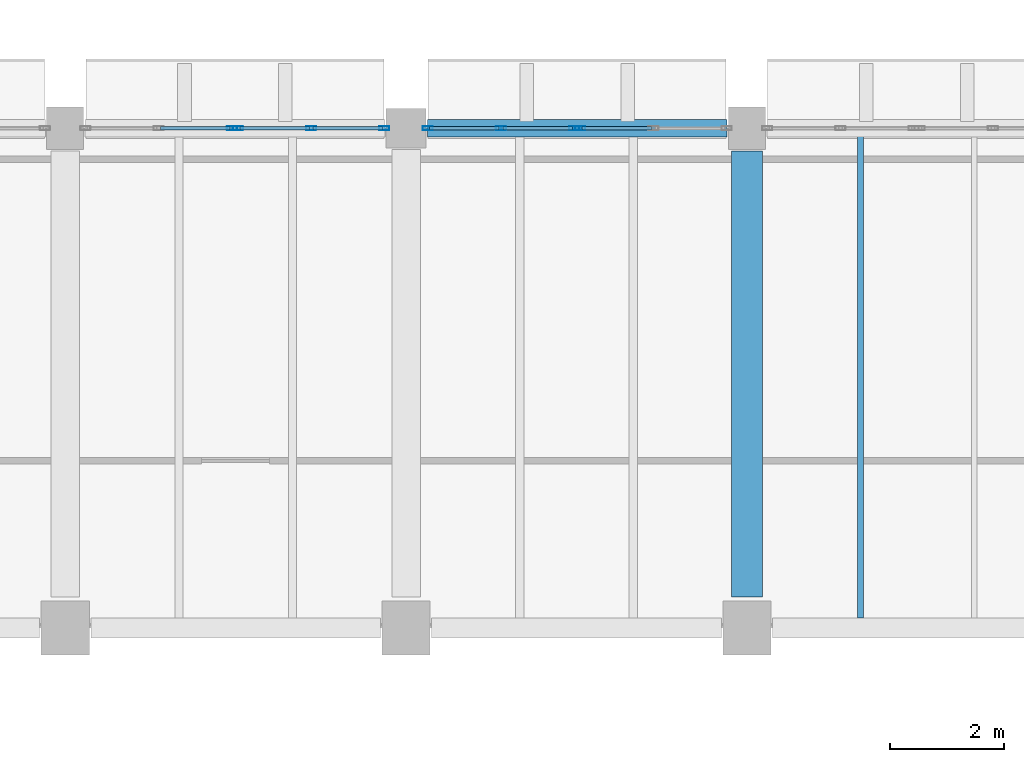
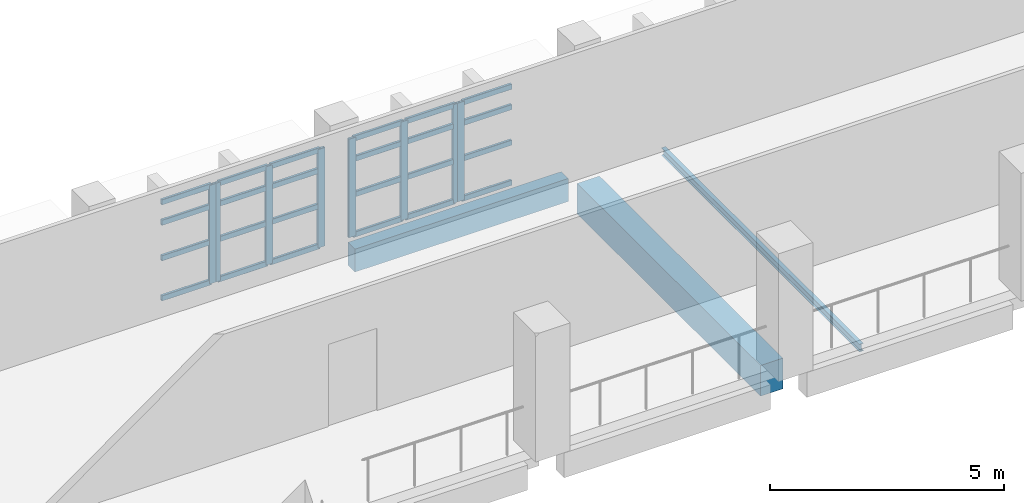
# One storey, part 35 of 75: 32 members, 3 beams, 4 elements without a shape of their own.
"""IFC4 building model written with IfcOpenShell, lengths in metres."""

from ifc_helpers import new_model, si_unit, direction, frame, origin, origin_2d, place, context, subcontext, project, spatial, rectangle, hollow_rectangle, i_section, extrude, material, material_profile, profile_set, type_object, element, aggregate, save


model = new_model("IFC4")

# Units and contexts
model_context = context("Model", 3, precision=1e-05, world=origin(), true_north=direction((0.0, 1.0)))
body_context = subcontext(model_context, "Body", "Model", "MODEL_VIEW")
ifc_project = project(units=[si_unit("LENGTHUNIT", "METRE"), si_unit("AREAUNIT", "SQUARE_METRE"), si_unit("VOLUMEUNIT", "CUBIC_METRE"), si_unit("PLANEANGLEUNIT", "RADIAN"), si_unit("MASSUNIT", "GRAM", prefix="KILO")], contexts=[model_context])

# Site, building, storey
site_placement = place(None, origin())
site = spatial("IfcSite", under=ifc_project, at=site_placement, CompositionType="ELEMENT")
building_placement = place(site_placement, origin())
building = spatial("IfcBuilding", under=site, at=building_placement, Name="Varnakota Cinema and Media Centre", CompositionType="ELEMENT")
storey_placement = place(building_placement, frame((0.0, 0.0, 8.39990234375)))
storey = spatial("IfcBuildingStorey", under=building, at=storey_placement, Name="L02", CompositionType="ELEMENT", Elevation=8.39990234375)

# Beams
ifc_material_1 = material(Name="Concrete M35", Category="concrete")
ifc_material_profile_1 = material_profile(ifc_material_1, rectangle(XDim=0.550048828125, YDim=0.800048828125, at=origin_2d()), Name="RCB 550x800")
ifc_profile_set_1 = profile_set([ifc_material_profile_1], Name="Concrete M35")
beam_type_1 = type_object("IfcBeamType", Name="BM-RC-550x800", PredefinedType="BEAM", material=ifc_profile_set_1)
beam_1_placement = place(storey_placement, frame((105.0, 35.75, -0.64990234375), z_axis=(0.0, 1.0, 0.0), x_axis=(-1.0, 0.0, 0.0)))
element("IfcBeam", 1, at=beam_1_placement, inside=storey, type_object=beam_type_1, Name="L02 girder Q/5-6", PredefinedType="BEAM", context=body_context, shape_type="SweptSolid", body=[
    extrude(rectangle(XDim=0.550048828125, YDim=0.800048828125, at=origin_2d()), origin(), (0.0, 0.0, 1.0), 7.85009765625),
])
ifc_material_2 = material(Name="Concrete M35", Category="concrete")
ifc_material_profile_2 = material_profile(ifc_material_2, rectangle(XDim=0.300048828125, YDim=0.60009765625, at=origin_2d()), Name="RCB 300x600")
ifc_profile_set_2 = profile_set([ifc_material_profile_2], Name="Concrete M35")
beam_type_2 = type_object("IfcBeamType", Name="BM-SP-300x600", PredefinedType="SPANDREL", material=ifc_profile_set_2)
beam_2_placement = place(storey_placement, frame((99.375, 44.0, -0.5498046875), z_axis=(1.0, 0.0, 0.0), x_axis=(0.0, 1.0, 0.0)))
element("IfcBeam", 2, at=beam_2_placement, inside=storey, type_object=beam_type_2, Name="L02 girder P-Q/6", PredefinedType="SPANDREL", context=body_context, shape_type="SweptSolid", body=[
    extrude(rectangle(XDim=0.300048828125, YDim=0.60009765625, at=origin_2d()), origin(), (0.0, 0.0, 1.0), 5.27490234375),
])
ifc_material_3 = material(Name="Structural steel Grade 350 (E350)", Category="steel")
ifc_material_profile_3 = material_profile(ifc_material_3, i_section(OverallWidth=0.10009765625, OverallDepth=0.199951171875, WebThickness=0.005615234375, FlangeThickness=0.0107421875, FilletRadius=0.010986328125, at=origin_2d()), Name="ISMB 200")
ifc_profile_set_3 = profile_set([ifc_material_profile_3], Name="Structural steel Grade 350 (E350)")
beam_type_3 = type_object("IfcBeamType", Name="BM-ST-ISMB200", PredefinedType="JOIST", material=ifc_profile_set_3)
beam_3_placement = place(storey_placement, frame((107.0, 35.375, -0.349853515625), z_axis=(0.0, 1.0, 0.0), x_axis=(-1.0, 0.0, 0.0)))
element("IfcBeam", 3, at=beam_3_placement, inside=storey, type_object=beam_type_3, Name="L02 steel joist Q-R/5-6 #1", PredefinedType="JOIST", context=body_context, shape_type="SweptSolid", body=[
    extrude(i_section(OverallWidth=0.10009765625, OverallDepth=0.199951171875, WebThickness=0.005615234375, FlangeThickness=0.0107421875, FilletRadius=0.010986328125, at=origin_2d()), origin(), (0.0, 0.0, 1.0), 8.47509765625),
])

# Curtain wall, member
ifc_material_4 = material(Name="Thermally broken anodised aluminium AW-6063", Category="aluminium")
curtain_wall_type = type_object("IfcCurtainWallType", Name="CW-STD-264x258", PredefinedType="USERDEFINED", material=ifc_material_4)
curtain_wall_1_placement = place(storey_placement, origin())
curtain_wall_1 = element("IfcCurtainWall", 4, at=curtain_wall_1_placement, inside=storey, type_object=curtain_wall_type, Name="L02 curtain wall CW-L02-V1-N-04-1", ObjectType="UNITISED CURTAIN WALL", PredefinedType="USERDEFINED")
ifc_material_5 = material(Name="Thermally broken anodised aluminium AW-6063", Category="aluminium")
ifc_material_profile_4 = material_profile(ifc_material_5, hollow_rectangle(XDim=0.06494140625, YDim=0.179931640625, WallThickness=0.00390625, InnerFilletRadius=0.00390625, OuterFilletRadius=0.008056640625, at=origin_2d()), Name="AL-MULLION 180x65x4")
ifc_profile_set_4 = profile_set([ifc_material_profile_4], Name="Thermally broken anodised aluminium AW-6063")
member_type_1 = type_object("IfcMemberType", Name="CWM-AL-180", PredefinedType="MULLION", material=ifc_profile_set_4)
member_1_placement = place(storey_placement, frame((95.93505859375, 44.0, 0.0), z_axis=(0.0, 0.0, 1.0), x_axis=(0.0, 1.0, 0.0)))
member_1 = element("IfcMember", 5, at=member_1_placement, type_object=member_type_1, Name="CW29 mullion 3", PredefinedType="MULLION", context=body_context, shape_type="SweptSolid", body=[
    extrude(hollow_rectangle(XDim=0.06494140625, YDim=0.179931640625, WallThickness=0.00390625, InnerFilletRadius=0.00390625, OuterFilletRadius=0.008056640625, at=origin_2d()), origin(), (0.0, 0.0, 1.0), 2.5751953125),
])

# Curtain wall, members
curtain_wall_2_placement = place(storey_placement, origin())
curtain_wall_2 = element("IfcCurtainWall", 6, at=curtain_wall_2_placement, inside=storey, type_object=curtain_wall_type, Name="L02 curtain wall CW-L02-V1-N-04-2", ObjectType="UNITISED CURTAIN WALL", PredefinedType="USERDEFINED")
member_2_placement = place(storey_placement, frame((96.0400390625, 44.0, 0.0), z_axis=(0.0, 0.0, 1.0), x_axis=(0.0, 1.0, 0.0)))
member_2 = element("IfcMember", 7, at=member_2_placement, type_object=member_type_1, Name="CW29 mullion 1", PredefinedType="MULLION", context=body_context, shape_type="SweptSolid", body=[
    extrude(hollow_rectangle(XDim=0.06494140625, YDim=0.179931640625, WallThickness=0.00390625, InnerFilletRadius=0.00390625, OuterFilletRadius=0.008056640625, at=origin_2d()), origin(), (0.0, 0.0, 1.0), 2.5751953125),
])
member_3_placement = place(storey_placement, frame((97.328857421875, 44.0, 0.0), z_axis=(0.0, 0.0, 1.0), x_axis=(0.0, 1.0, 0.0)))
member_3 = element("IfcMember", 8, at=member_3_placement, type_object=member_type_1, Name="CW29 mullion 2", PredefinedType="MULLION", context=body_context, shape_type="SweptSolid", body=[
    extrude(hollow_rectangle(XDim=0.06494140625, YDim=0.179931640625, WallThickness=0.00390625, InnerFilletRadius=0.00390625, OuterFilletRadius=0.008056640625, at=origin_2d()), origin(), (0.0, 0.0, 1.0), 2.5751953125),
])
member_4_placement = place(storey_placement, frame((98.617431640625, 44.0, 0.0), z_axis=(0.0, 0.0, 1.0), x_axis=(0.0, 1.0, 0.0)))
member_4 = element("IfcMember", 9, at=member_4_placement, type_object=member_type_1, Name="CW29 mullion 3", PredefinedType="MULLION", context=body_context, shape_type="SweptSolid", body=[
    extrude(hollow_rectangle(XDim=0.06494140625, YDim=0.179931640625, WallThickness=0.00390625, InnerFilletRadius=0.00390625, OuterFilletRadius=0.008056640625, at=origin_2d()), origin(), (0.0, 0.0, 1.0), 2.5751953125),
])

curtain_wall_3_placement = place(storey_placement, origin())
curtain_wall_3 = element("IfcCurtainWall", 10, at=curtain_wall_3_placement, inside=storey, type_object=curtain_wall_type, Name="L02 curtain wall CW-L02-V1-N-05-1", ObjectType="UNITISED CURTAIN WALL", PredefinedType="USERDEFINED")
member_5_placement = place(storey_placement, frame((99.382568359375, 44.0, 0.0), z_axis=(0.0, 0.0, 1.0), x_axis=(0.0, 1.0, 0.0)))
member_5 = element("IfcMember", 11, at=member_5_placement, type_object=member_type_1, Name="CW29 mullion 1", PredefinedType="MULLION", context=body_context, shape_type="SweptSolid", body=[
    extrude(hollow_rectangle(XDim=0.06494140625, YDim=0.179931640625, WallThickness=0.00390625, InnerFilletRadius=0.00390625, OuterFilletRadius=0.008056640625, at=origin_2d()), origin(), (0.0, 0.0, 1.0), 2.5751953125),
])
member_6_placement = place(storey_placement, frame((100.671142578125, 44.0, 0.0), z_axis=(0.0, 0.0, 1.0), x_axis=(0.0, 1.0, 0.0)))
member_6 = element("IfcMember", 12, at=member_6_placement, type_object=member_type_1, Name="CW29 mullion 2", PredefinedType="MULLION", context=body_context, shape_type="SweptSolid", body=[
    extrude(hollow_rectangle(XDim=0.06494140625, YDim=0.179931640625, WallThickness=0.00390625, InnerFilletRadius=0.00390625, OuterFilletRadius=0.008056640625, at=origin_2d()), origin(), (0.0, 0.0, 1.0), 2.5751953125),
])
member_7_placement = place(storey_placement, frame((101.9599609375, 44.0, 0.0), z_axis=(0.0, 0.0, 1.0), x_axis=(0.0, 1.0, 0.0)))
member_7 = element("IfcMember", 13, at=member_7_placement, type_object=member_type_1, Name="CW29 mullion 3", PredefinedType="MULLION", context=body_context, shape_type="SweptSolid", body=[
    extrude(hollow_rectangle(XDim=0.06494140625, YDim=0.179931640625, WallThickness=0.00390625, InnerFilletRadius=0.00390625, OuterFilletRadius=0.008056640625, at=origin_2d()), origin(), (0.0, 0.0, 1.0), 2.5751953125),
])

# Curtain wall, member
curtain_wall_4_placement = place(storey_placement, origin())
curtain_wall_4 = element("IfcCurtainWall", 14, at=curtain_wall_4_placement, inside=storey, type_object=curtain_wall_type, Name="L02 curtain wall CW-L02-V1-N-05-2", ObjectType="UNITISED CURTAIN WALL", PredefinedType="USERDEFINED")
member_8_placement = place(storey_placement, frame((102.06494140625, 44.0, 0.0), z_axis=(0.0, 0.0, 1.0), x_axis=(0.0, 1.0, 0.0)))
member_8 = element("IfcMember", 15, at=member_8_placement, type_object=member_type_1, Name="CW29 mullion 1", PredefinedType="MULLION", context=body_context, shape_type="SweptSolid", body=[
    extrude(hollow_rectangle(XDim=0.06494140625, YDim=0.179931640625, WallThickness=0.00390625, InnerFilletRadius=0.00390625, OuterFilletRadius=0.008056640625, at=origin_2d()), origin(), (0.0, 0.0, 1.0), 2.5751953125),
])

# Member
ifc_material_6 = material(Name="Thermally broken anodised aluminium AW-6063", Category="aluminium")
ifc_material_profile_5 = material_profile(ifc_material_6, hollow_rectangle(XDim=0.06494140625, YDim=0.139892578125, WallThickness=0.00390625, InnerFilletRadius=0.00390625, OuterFilletRadius=0.008056640625, at=origin_2d()), Name="AL-TRANSOM 140x65x4")
ifc_profile_set_5 = profile_set([ifc_material_profile_5], Name="Thermally broken anodised aluminium AW-6063")
member_type_2 = type_object("IfcMemberType", Name="CWT-AL-140", PredefinedType="USERDEFINED", material=ifc_profile_set_5)
member_9_placement = place(storey_placement, frame((94.6787109375, 44.0, 0.03271484375), z_axis=(1.0, 0.0, 0.0), x_axis=(0.0, 1.0, 0.0)))
member_9 = element("IfcMember", 16, at=member_9_placement, type_object=member_type_2, Name="CW29 transom 2.1", ObjectType="TRANSOM", PredefinedType="USERDEFINED", context=body_context, shape_type="SweptSolid", body=[
    extrude(hollow_rectangle(XDim=0.06494140625, YDim=0.139892578125, WallThickness=0.00390625, InnerFilletRadius=0.00390625, OuterFilletRadius=0.008056640625, at=origin_2d()), origin(), (0.0, 0.0, 1.0), 1.223876953125),
])

member_10_placement = place(storey_placement, frame((94.6787109375, 44.0, 1.08154296875), z_axis=(1.0, 0.0, 0.0), x_axis=(0.0, 1.0, 0.0)))
member_10 = element("IfcMember", 17, at=member_10_placement, type_object=member_type_2, Name="CW29 transom 2.2", ObjectType="TRANSOM", PredefinedType="USERDEFINED", context=body_context, shape_type="SweptSolid", body=[
    extrude(hollow_rectangle(XDim=0.06494140625, YDim=0.139892578125, WallThickness=0.00390625, InnerFilletRadius=0.00390625, OuterFilletRadius=0.008056640625, at=origin_2d()), origin(), (0.0, 0.0, 1.0), 1.223876953125),
])

member_11_placement = place(storey_placement, frame((94.6787109375, 44.0, 2.008544921875), z_axis=(1.0, 0.0, 0.0), x_axis=(0.0, 1.0, 0.0)))
member_11 = element("IfcMember", 18, at=member_11_placement, type_object=member_type_2, Name="CW29 transom 2.3", ObjectType="TRANSOM", PredefinedType="USERDEFINED", context=body_context, shape_type="SweptSolid", body=[
    extrude(hollow_rectangle(XDim=0.06494140625, YDim=0.139892578125, WallThickness=0.00390625, InnerFilletRadius=0.00390625, OuterFilletRadius=0.008056640625, at=origin_2d()), origin(), (0.0, 0.0, 1.0), 1.223876953125),
])

member_12_placement = place(storey_placement, frame((94.6787109375, 44.0, 2.54248046875), z_axis=(1.0, 0.0, 0.0), x_axis=(0.0, 1.0, 0.0)))
member_12 = element("IfcMember", 19, at=member_12_placement, type_object=member_type_2, Name="CW29 transom 2.4", ObjectType="TRANSOM", PredefinedType="USERDEFINED", context=body_context, shape_type="SweptSolid", body=[
    extrude(hollow_rectangle(XDim=0.06494140625, YDim=0.139892578125, WallThickness=0.00390625, InnerFilletRadius=0.00390625, OuterFilletRadius=0.008056640625, at=origin_2d()), origin(), (0.0, 0.0, 1.0), 1.223876953125),
])

aggregate(curtain_wall_1, [member_1, member_9, member_10, member_11, member_12])

member_13_placement = place(storey_placement, frame((96.072509765625, 44.0, 0.03271484375), z_axis=(1.0, 0.0, 0.0), x_axis=(0.0, 1.0, 0.0)))
member_13 = element("IfcMember", 20, at=member_13_placement, type_object=member_type_2, Name="CW29 transom 1.1", ObjectType="TRANSOM", PredefinedType="USERDEFINED", context=body_context, shape_type="SweptSolid", body=[
    extrude(hollow_rectangle(XDim=0.06494140625, YDim=0.139892578125, WallThickness=0.00390625, InnerFilletRadius=0.00390625, OuterFilletRadius=0.008056640625, at=origin_2d()), origin(), (0.0, 0.0, 1.0), 1.2236328125),
])

member_14_placement = place(storey_placement, frame((96.072509765625, 44.0, 1.08154296875), z_axis=(1.0, 0.0, 0.0), x_axis=(0.0, 1.0, 0.0)))
member_14 = element("IfcMember", 21, at=member_14_placement, type_object=member_type_2, Name="CW29 transom 1.2", ObjectType="TRANSOM", PredefinedType="USERDEFINED", context=body_context, shape_type="SweptSolid", body=[
    extrude(hollow_rectangle(XDim=0.06494140625, YDim=0.139892578125, WallThickness=0.00390625, InnerFilletRadius=0.00390625, OuterFilletRadius=0.008056640625, at=origin_2d()), origin(), (0.0, 0.0, 1.0), 1.2236328125),
])

member_15_placement = place(storey_placement, frame((96.072509765625, 44.0, 2.008544921875), z_axis=(1.0, 0.0, 0.0), x_axis=(0.0, 1.0, 0.0)))
member_15 = element("IfcMember", 22, at=member_15_placement, type_object=member_type_2, Name="CW29 transom 1.3", ObjectType="TRANSOM", PredefinedType="USERDEFINED", context=body_context, shape_type="SweptSolid", body=[
    extrude(hollow_rectangle(XDim=0.06494140625, YDim=0.139892578125, WallThickness=0.00390625, InnerFilletRadius=0.00390625, OuterFilletRadius=0.008056640625, at=origin_2d()), origin(), (0.0, 0.0, 1.0), 1.2236328125),
])

member_16_placement = place(storey_placement, frame((96.072509765625, 44.0, 2.54248046875), z_axis=(1.0, 0.0, 0.0), x_axis=(0.0, 1.0, 0.0)))
member_16 = element("IfcMember", 23, at=member_16_placement, type_object=member_type_2, Name="CW29 transom 1.4", ObjectType="TRANSOM", PredefinedType="USERDEFINED", context=body_context, shape_type="SweptSolid", body=[
    extrude(hollow_rectangle(XDim=0.06494140625, YDim=0.139892578125, WallThickness=0.00390625, InnerFilletRadius=0.00390625, OuterFilletRadius=0.008056640625, at=origin_2d()), origin(), (0.0, 0.0, 1.0), 1.2236328125),
])

member_17_placement = place(storey_placement, frame((97.361328125, 44.0, 0.03271484375), z_axis=(1.0, 0.0, 0.0), x_axis=(0.0, 1.0, 0.0)))
member_17 = element("IfcMember", 24, at=member_17_placement, type_object=member_type_2, Name="CW29 transom 2.1", ObjectType="TRANSOM", PredefinedType="USERDEFINED", context=body_context, shape_type="SweptSolid", body=[
    extrude(hollow_rectangle(XDim=0.06494140625, YDim=0.139892578125, WallThickness=0.00390625, InnerFilletRadius=0.00390625, OuterFilletRadius=0.008056640625, at=origin_2d()), origin(), (0.0, 0.0, 1.0), 1.2236328125),
])

member_18_placement = place(storey_placement, frame((97.361328125, 44.0, 1.08154296875), z_axis=(1.0, 0.0, 0.0), x_axis=(0.0, 1.0, 0.0)))
member_18 = element("IfcMember", 25, at=member_18_placement, type_object=member_type_2, Name="CW29 transom 2.2", ObjectType="TRANSOM", PredefinedType="USERDEFINED", context=body_context, shape_type="SweptSolid", body=[
    extrude(hollow_rectangle(XDim=0.06494140625, YDim=0.139892578125, WallThickness=0.00390625, InnerFilletRadius=0.00390625, OuterFilletRadius=0.008056640625, at=origin_2d()), origin(), (0.0, 0.0, 1.0), 1.2236328125),
])

member_19_placement = place(storey_placement, frame((97.361328125, 44.0, 2.008544921875), z_axis=(1.0, 0.0, 0.0), x_axis=(0.0, 1.0, 0.0)))
member_19 = element("IfcMember", 26, at=member_19_placement, type_object=member_type_2, Name="CW29 transom 2.3", ObjectType="TRANSOM", PredefinedType="USERDEFINED", context=body_context, shape_type="SweptSolid", body=[
    extrude(hollow_rectangle(XDim=0.06494140625, YDim=0.139892578125, WallThickness=0.00390625, InnerFilletRadius=0.00390625, OuterFilletRadius=0.008056640625, at=origin_2d()), origin(), (0.0, 0.0, 1.0), 1.2236328125),
])

member_20_placement = place(storey_placement, frame((97.361328125, 44.0, 2.54248046875), z_axis=(1.0, 0.0, 0.0), x_axis=(0.0, 1.0, 0.0)))
member_20 = element("IfcMember", 27, at=member_20_placement, type_object=member_type_2, Name="CW29 transom 2.4", ObjectType="TRANSOM", PredefinedType="USERDEFINED", context=body_context, shape_type="SweptSolid", body=[
    extrude(hollow_rectangle(XDim=0.06494140625, YDim=0.139892578125, WallThickness=0.00390625, InnerFilletRadius=0.00390625, OuterFilletRadius=0.008056640625, at=origin_2d()), origin(), (0.0, 0.0, 1.0), 1.2236328125),
])

aggregate(curtain_wall_2, [member_2, member_3, member_4, member_13, member_14, member_15, member_16, member_17, member_18, member_19, member_20])

member_21_placement = place(storey_placement, frame((99.4150390625, 44.0, 0.03271484375), z_axis=(1.0, 0.0, 0.0), x_axis=(0.0, 1.0, 0.0)))
member_21 = element("IfcMember", 28, at=member_21_placement, type_object=member_type_2, Name="CW29 transom 1.1", ObjectType="TRANSOM", PredefinedType="USERDEFINED", context=body_context, shape_type="SweptSolid", body=[
    extrude(hollow_rectangle(XDim=0.06494140625, YDim=0.139892578125, WallThickness=0.00390625, InnerFilletRadius=0.00390625, OuterFilletRadius=0.008056640625, at=origin_2d()), origin(), (0.0, 0.0, 1.0), 1.2236328125),
])

member_22_placement = place(storey_placement, frame((99.4150390625, 44.0, 1.08154296875), z_axis=(1.0, 0.0, 0.0), x_axis=(0.0, 1.0, 0.0)))
member_22 = element("IfcMember", 29, at=member_22_placement, type_object=member_type_2, Name="CW29 transom 1.2", ObjectType="TRANSOM", PredefinedType="USERDEFINED", context=body_context, shape_type="SweptSolid", body=[
    extrude(hollow_rectangle(XDim=0.06494140625, YDim=0.139892578125, WallThickness=0.00390625, InnerFilletRadius=0.00390625, OuterFilletRadius=0.008056640625, at=origin_2d()), origin(), (0.0, 0.0, 1.0), 1.2236328125),
])

member_23_placement = place(storey_placement, frame((99.4150390625, 44.0, 2.008544921875), z_axis=(1.0, 0.0, 0.0), x_axis=(0.0, 1.0, 0.0)))
member_23 = element("IfcMember", 30, at=member_23_placement, type_object=member_type_2, Name="CW29 transom 1.3", ObjectType="TRANSOM", PredefinedType="USERDEFINED", context=body_context, shape_type="SweptSolid", body=[
    extrude(hollow_rectangle(XDim=0.06494140625, YDim=0.139892578125, WallThickness=0.00390625, InnerFilletRadius=0.00390625, OuterFilletRadius=0.008056640625, at=origin_2d()), origin(), (0.0, 0.0, 1.0), 1.2236328125),
])

member_24_placement = place(storey_placement, frame((99.4150390625, 44.0, 2.54248046875), z_axis=(1.0, 0.0, 0.0), x_axis=(0.0, 1.0, 0.0)))
member_24 = element("IfcMember", 31, at=member_24_placement, type_object=member_type_2, Name="CW29 transom 1.4", ObjectType="TRANSOM", PredefinedType="USERDEFINED", context=body_context, shape_type="SweptSolid", body=[
    extrude(hollow_rectangle(XDim=0.06494140625, YDim=0.139892578125, WallThickness=0.00390625, InnerFilletRadius=0.00390625, OuterFilletRadius=0.008056640625, at=origin_2d()), origin(), (0.0, 0.0, 1.0), 1.2236328125),
])

member_25_placement = place(storey_placement, frame((100.703857421875, 44.0, 0.03271484375), z_axis=(1.0, 0.0, 0.0), x_axis=(0.0, 1.0, 0.0)))
member_25 = element("IfcMember", 32, at=member_25_placement, type_object=member_type_2, Name="CW29 transom 2.1", ObjectType="TRANSOM", PredefinedType="USERDEFINED", context=body_context, shape_type="SweptSolid", body=[
    extrude(hollow_rectangle(XDim=0.06494140625, YDim=0.139892578125, WallThickness=0.00390625, InnerFilletRadius=0.00390625, OuterFilletRadius=0.008056640625, at=origin_2d()), origin(), (0.0, 0.0, 1.0), 1.2236328125),
])

member_26_placement = place(storey_placement, frame((100.703857421875, 44.0, 1.08154296875), z_axis=(1.0, 0.0, 0.0), x_axis=(0.0, 1.0, 0.0)))
member_26 = element("IfcMember", 33, at=member_26_placement, type_object=member_type_2, Name="CW29 transom 2.2", ObjectType="TRANSOM", PredefinedType="USERDEFINED", context=body_context, shape_type="SweptSolid", body=[
    extrude(hollow_rectangle(XDim=0.06494140625, YDim=0.139892578125, WallThickness=0.00390625, InnerFilletRadius=0.00390625, OuterFilletRadius=0.008056640625, at=origin_2d()), origin(), (0.0, 0.0, 1.0), 1.2236328125),
])

member_27_placement = place(storey_placement, frame((100.703857421875, 44.0, 2.008544921875), z_axis=(1.0, 0.0, 0.0), x_axis=(0.0, 1.0, 0.0)))
member_27 = element("IfcMember", 34, at=member_27_placement, type_object=member_type_2, Name="CW29 transom 2.3", ObjectType="TRANSOM", PredefinedType="USERDEFINED", context=body_context, shape_type="SweptSolid", body=[
    extrude(hollow_rectangle(XDim=0.06494140625, YDim=0.139892578125, WallThickness=0.00390625, InnerFilletRadius=0.00390625, OuterFilletRadius=0.008056640625, at=origin_2d()), origin(), (0.0, 0.0, 1.0), 1.2236328125),
])

member_28_placement = place(storey_placement, frame((100.703857421875, 44.0, 2.54248046875), z_axis=(1.0, 0.0, 0.0), x_axis=(0.0, 1.0, 0.0)))
member_28 = element("IfcMember", 35, at=member_28_placement, type_object=member_type_2, Name="CW29 transom 2.4", ObjectType="TRANSOM", PredefinedType="USERDEFINED", context=body_context, shape_type="SweptSolid", body=[
    extrude(hollow_rectangle(XDim=0.06494140625, YDim=0.139892578125, WallThickness=0.00390625, InnerFilletRadius=0.00390625, OuterFilletRadius=0.008056640625, at=origin_2d()), origin(), (0.0, 0.0, 1.0), 1.2236328125),
])

aggregate(curtain_wall_3, [member_5, member_6, member_7, member_21, member_22, member_23, member_24, member_25, member_26, member_27, member_28])

member_29_placement = place(storey_placement, frame((102.097412109375, 44.0, 0.03271484375), z_axis=(1.0, 0.0, 0.0), x_axis=(0.0, 1.0, 0.0)))
member_29 = element("IfcMember", 36, at=member_29_placement, type_object=member_type_2, Name="CW29 transom 1.1", ObjectType="TRANSOM", PredefinedType="USERDEFINED", context=body_context, shape_type="SweptSolid", body=[
    extrude(hollow_rectangle(XDim=0.06494140625, YDim=0.139892578125, WallThickness=0.00390625, InnerFilletRadius=0.00390625, OuterFilletRadius=0.008056640625, at=origin_2d()), origin(), (0.0, 0.0, 1.0), 1.223876953125),
])

member_30_placement = place(storey_placement, frame((102.097412109375, 44.0, 1.08154296875), z_axis=(1.0, 0.0, 0.0), x_axis=(0.0, 1.0, 0.0)))
member_30 = element("IfcMember", 37, at=member_30_placement, type_object=member_type_2, Name="CW29 transom 1.2", ObjectType="TRANSOM", PredefinedType="USERDEFINED", context=body_context, shape_type="SweptSolid", body=[
    extrude(hollow_rectangle(XDim=0.06494140625, YDim=0.139892578125, WallThickness=0.00390625, InnerFilletRadius=0.00390625, OuterFilletRadius=0.008056640625, at=origin_2d()), origin(), (0.0, 0.0, 1.0), 1.223876953125),
])

member_31_placement = place(storey_placement, frame((102.097412109375, 44.0, 2.008544921875), z_axis=(1.0, 0.0, 0.0), x_axis=(0.0, 1.0, 0.0)))
member_31 = element("IfcMember", 38, at=member_31_placement, type_object=member_type_2, Name="CW29 transom 1.3", ObjectType="TRANSOM", PredefinedType="USERDEFINED", context=body_context, shape_type="SweptSolid", body=[
    extrude(hollow_rectangle(XDim=0.06494140625, YDim=0.139892578125, WallThickness=0.00390625, InnerFilletRadius=0.00390625, OuterFilletRadius=0.008056640625, at=origin_2d()), origin(), (0.0, 0.0, 1.0), 1.223876953125),
])

member_32_placement = place(storey_placement, frame((102.097412109375, 44.0, 2.54248046875), z_axis=(1.0, 0.0, 0.0), x_axis=(0.0, 1.0, 0.0)))
member_32 = element("IfcMember", 39, at=member_32_placement, type_object=member_type_2, Name="CW29 transom 1.4", ObjectType="TRANSOM", PredefinedType="USERDEFINED", context=body_context, shape_type="SweptSolid", body=[
    extrude(hollow_rectangle(XDim=0.06494140625, YDim=0.139892578125, WallThickness=0.00390625, InnerFilletRadius=0.00390625, OuterFilletRadius=0.008056640625, at=origin_2d()), origin(), (0.0, 0.0, 1.0), 1.223876953125),
])

aggregate(curtain_wall_4, [member_8, member_29, member_30, member_31, member_32])

save(model, "model.ifc")
